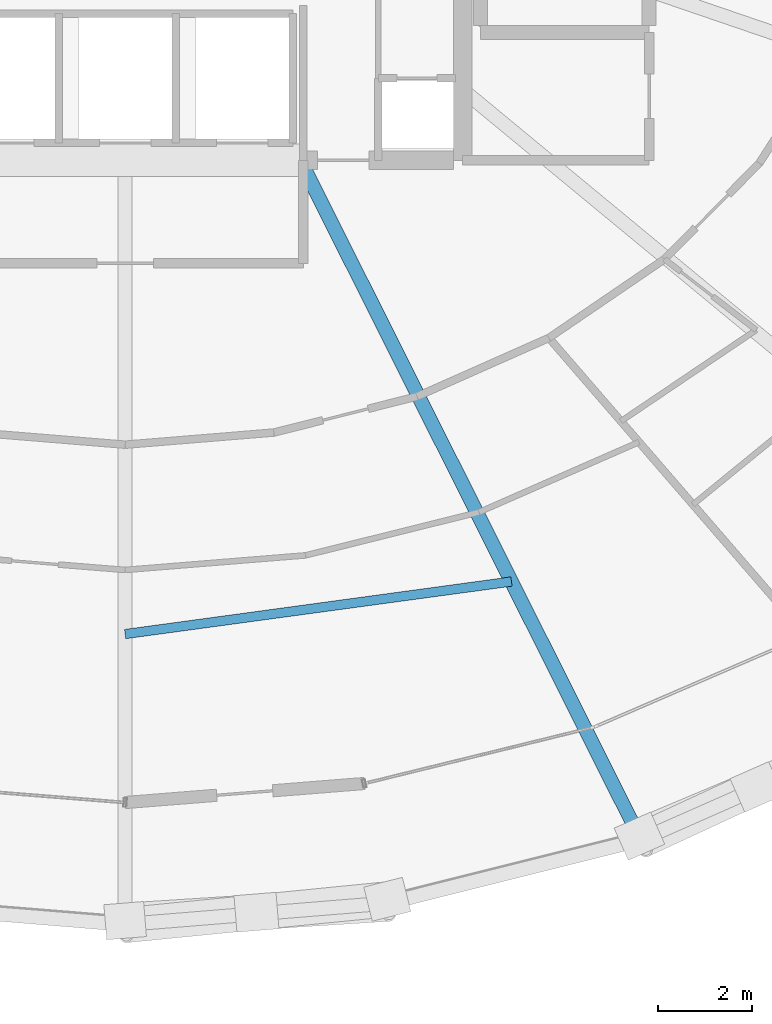
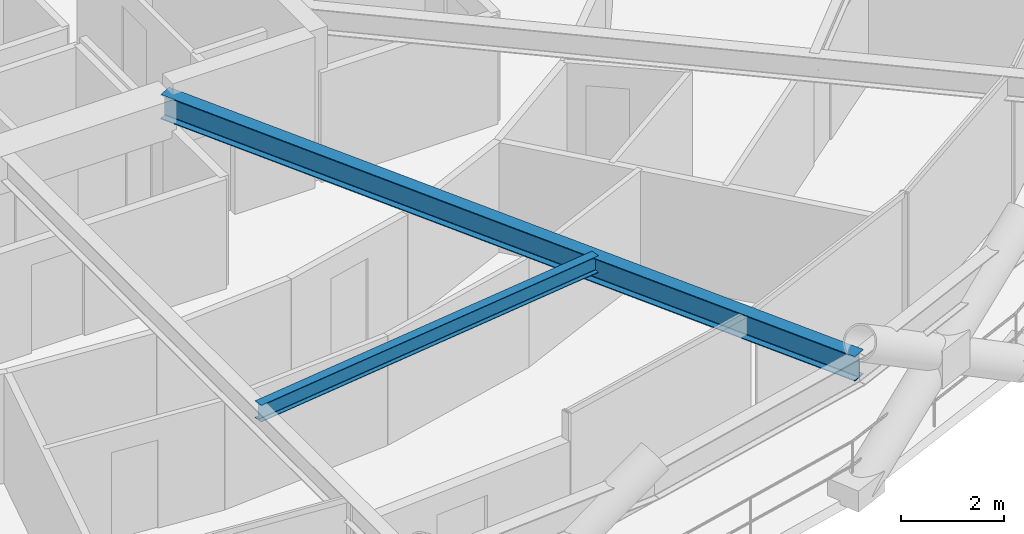
# One storey, part 7 of 21: 2 beams.
"""IFC4 building model written with IfcOpenShell, lengths in metres."""

from ifc_helpers import new_model, si_unit, direction, frame, origin, origin_2d, place, context, subcontext, project, spatial, i_section, extrude, material, material_profile, profile_set, type_object, element, save


model = new_model("IFC4")

# Units and contexts
model_context = context("Model", 3, precision=1e-05, world=origin(), true_north=direction((0.0, 1.0)))
body_context = subcontext(model_context, "Body", "Model", "MODEL_VIEW")
ifc_project = project(units=[si_unit("LENGTHUNIT", "METRE"), si_unit("AREAUNIT", "SQUARE_METRE"), si_unit("VOLUMEUNIT", "CUBIC_METRE"), si_unit("PLANEANGLEUNIT", "RADIAN"), si_unit("MASSUNIT", "GRAM", prefix="KILO")], contexts=[model_context])

# Site, building, storey
site_placement = place(None, origin())
site = spatial("IfcSite", under=ifc_project, at=site_placement, CompositionType="ELEMENT")
building_placement = place(site_placement, origin())
building = spatial("IfcBuilding", under=site, at=building_placement, Name="Veldorina Hangang Commons", CompositionType="ELEMENT")
storey_placement = place(building_placement, frame((0.0, 0.0, 59.199951171875)))
storey = spatial("IfcBuildingStorey", under=building, at=storey_placement, Name="L14", CompositionType="ELEMENT", Elevation=59.199951171875)

# Beams
ifc_material_1 = material(Name="Steel SM460-TMC", Category="steel")
ifc_material_profile_1 = material_profile(ifc_material_1, i_section(OverallWidth=0.300048828125, OverallDepth=0.587890625, WebThickness=0.011962890625, FlangeThickness=0.02001953125, FilletRadius=0.01806640625, at=origin_2d()), Name="H-588x300x12x20")
ifc_profile_set_1 = profile_set([ifc_material_profile_1], Name="Steel SM460-TMC")
beam_type_1 = type_object("IfcBeamType", Name="BM-FG588", PredefinedType="BEAM", material=ifc_profile_set_1)
beam_1_placement = place(storey_placement, frame((35.7353515625, 16.550048828125, 3.046142578125), z_axis=(0.448213025421, -0.893926777674, 0.0), x_axis=(0.893926777674, 0.448213025421, 0.0)))
element("IfcBeam", 1, at=beam_1_placement, inside=storey, type_object=beam_type_1, Name="L14 radial floor girder 14", PredefinedType="BEAM", context=body_context, shape_type="SweptSolid", body=[
    extrude(i_section(OverallWidth=0.300048828125, OverallDepth=0.587890625, WebThickness=0.011962890625, FlangeThickness=0.02001953125, FilletRadius=0.01806640625, at=origin_2d()), origin(), (0.0, 0.0, 1.0), 16.215576171875),
])
ifc_material_2 = material(Name="Steel SM355-TMC", Category="steel")
ifc_material_profile_2 = material_profile(ifc_material_2, i_section(OverallWidth=0.199951171875, OverallDepth=0.39990234375, WebThickness=0.008056640625, FlangeThickness=0.012939453125, FilletRadius=0.012939453125, at=origin_2d()), Name="H-400x200x8x13")
ifc_profile_set_2 = profile_set([ifc_material_profile_2], Name="Steel SM355-TMC")
beam_type_2 = type_object("IfcBeamType", Name="BM-JST400", PredefinedType="JOIST", material=ifc_profile_set_2)
beam_2_placement = place(storey_placement, frame((32.0, 6.44189453125, 3.14013671875), z_axis=(0.990878687291, 0.134756918459, 0.0), x_axis=(-0.134756918459, 0.990878687291, 0.0)))
element("IfcBeam", 2, at=beam_2_placement, inside=storey, type_object=beam_type_2, Name="L14 secondary floor joist 13", PredefinedType="JOIST", context=body_context, shape_type="SweptSolid", body=[
    extrude(i_section(OverallWidth=0.199951171875, OverallDepth=0.39990234375, WebThickness=0.008056640625, FlangeThickness=0.012939453125, FilletRadius=0.012939453125, at=origin_2d()), origin(), (0.0, 0.0, 1.0), 8.317626953125),
])

save(model, "model.ifc")
